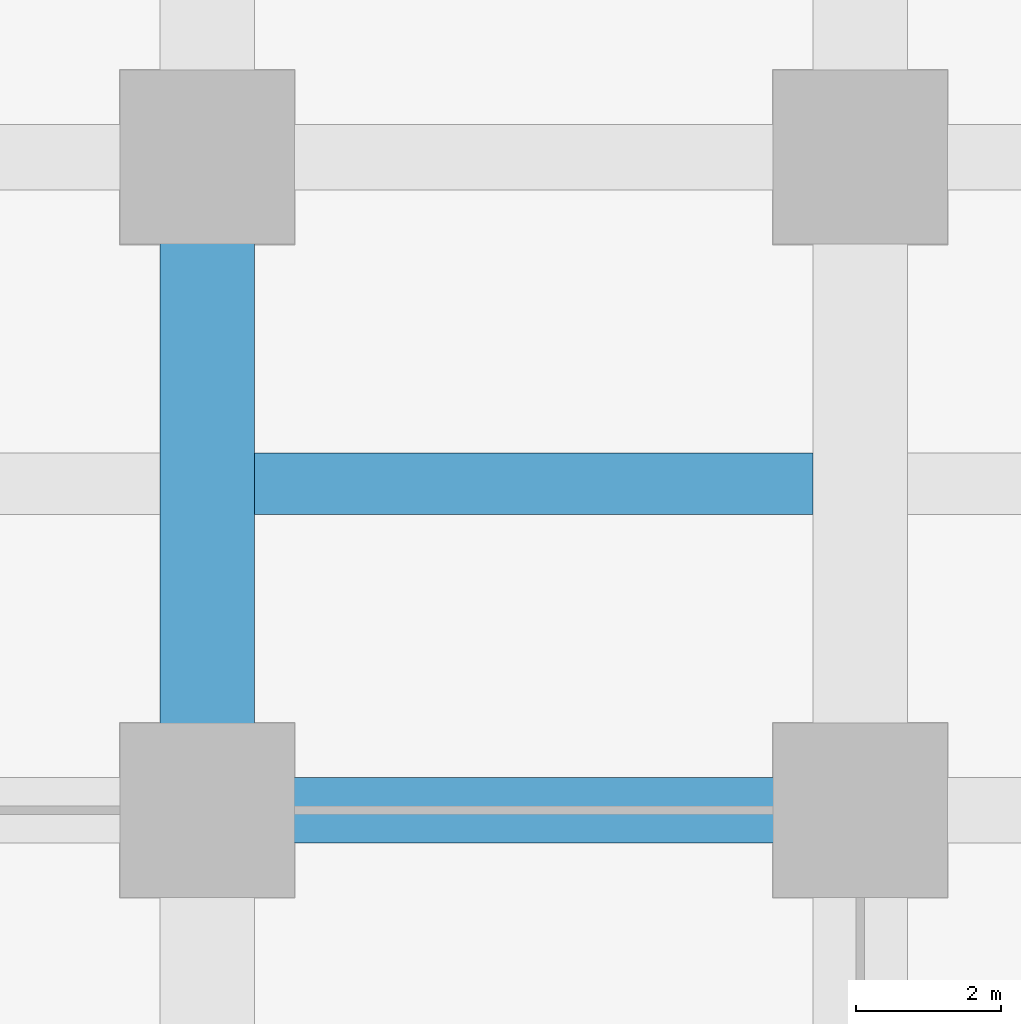
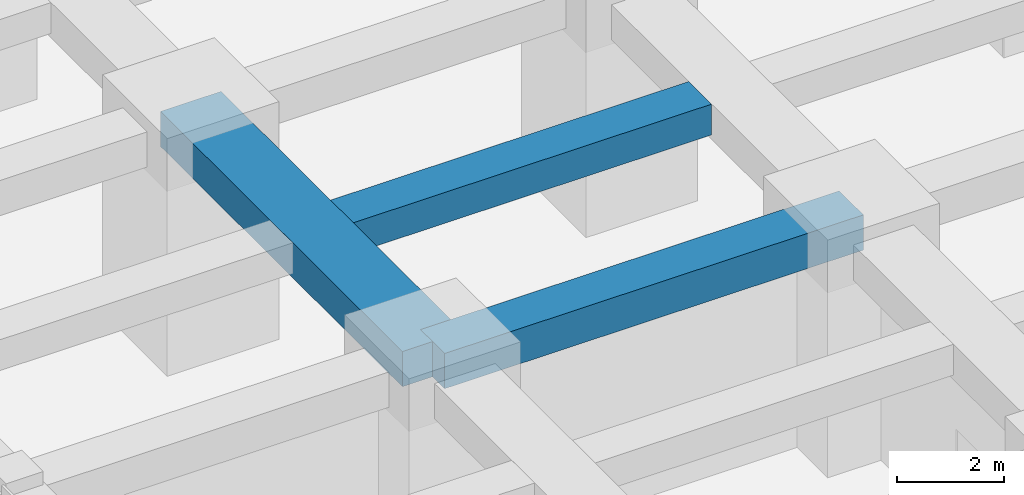
# One storey, part 10 of 45: 3 beams.
"""IFC4 building model written with IfcOpenShell, lengths in metres."""

import ifcopenshell
import ifcopenshell.guid

model = None  # the IFC model being written
_history = None  # IfcOwnerHistory: only IFC2X3 demands one
_inside = {}  # id of a spatial element -> (the spatial element, [elements in it])
_under = {}  # id of a project, library or spatial element -> (it, [spatial elements below it])
_declared = {}  # id of a project -> (the project, [libraries it declares])
_typed = {}  # id of a type object -> (the type object, [elements of that type])
_made_of = {}  # id of a material, layer set ... -> (it, [elements and type objects made of it])


def new_model(schema):
    """Start an empty IFC model of exactly this schema.

    Asked for "IFC4X3", IfcOpenShell would pick the latest addendum, in which some entities
    have other attributes; the version numbers below select the first issue.
    IFC2X3 requires an IfcOwnerHistory on every rooted entity: one is made here for all.
    """
    global model, _history
    if schema == "IFC4X3":
        model = ifcopenshell.file(schema_version=(4, 3, 0, 0))
    else:
        model = ifcopenshell.file(schema=schema)
    _inside.clear()
    _under.clear()
    _declared.clear()
    _typed.clear()
    _made_of.clear()
    _history = None
    if model.schema == "IFC2X3":
        org = make("IfcOrganization", Name="unknown")
        user = make(
            "IfcPersonAndOrganization",
            ThePerson=make("IfcPerson", FamilyName="unknown"),
            TheOrganization=org,
        )
        app = make(
            "IfcApplication",
            ApplicationDeveloper=org,
            Version="unknown",
            ApplicationFullName="unknown",
            ApplicationIdentifier="unknown",
        )
        _history = make(
            "IfcOwnerHistory",
            OwningUser=user,
            OwningApplication=app,
            ChangeAction="ADDED",
            CreationDate=0,
        )
    return model


def make(cls, **values):
    """One entity of the class cls with the attributes given. An attribute that is None is left unset."""
    return model.create_entity(
        cls, **{name: value for name, value in values.items() if value is not None}
    )


def rooted(cls, **values):
    """An entity with a GlobalId (a new one), such as an element, a storey or a relation."""
    return make(cls, GlobalId=ifcopenshell.guid.new(), OwnerHistory=_history, **values)


def si_unit(unit_type, name, prefix=None):
    """IfcSIUnit, for example si_unit("LENGTHUNIT", "METRE", prefix="MILLI")."""
    return make("IfcSIUnit", UnitType=unit_type, Prefix=prefix, Name=name)


def assignment(units):
    """IfcUnitAssignment: the units of a project."""
    return None if units is None else make("IfcUnitAssignment", Units=units)


def point(xyz):
    """IfcCartesianPoint."""
    return None if xyz is None else make("IfcCartesianPoint", Coordinates=xyz)


def direction(xyz):
    """IfcDirection."""
    return None if xyz is None else make("IfcDirection", DirectionRatios=xyz)


def frame(location, z_axis=None, x_axis=None):
    """IfcAxis2Placement3D, a coordinate frame: its origin and axes. An axis left out is left unset."""
    return make(
        "IfcAxis2Placement3D",
        Location=point(location),
        Axis=direction(z_axis),
        RefDirection=direction(x_axis),
    )


def frame_2d(location, x_axis=None):
    """IfcAxis2Placement2D, a coordinate frame in the plane: its origin and x axis."""
    return make(
        "IfcAxis2Placement2D", Location=point(location), RefDirection=direction(x_axis)
    )


def origin():
    """The frame at (0, 0, 0) with its axes left unset."""
    return frame((0.0, 0.0, 0.0))


def origin_2d():
    """The frame at (0, 0) in the plane with its x axis left unset."""
    return frame_2d((0.0, 0.0))


def place(relative_to, where):
    """IfcLocalPlacement: puts the frame where relative to a parent placement (None: the world)."""
    return make(
        "IfcLocalPlacement", PlacementRelTo=relative_to, RelativePlacement=where
    )


def context(
    kind, dimensions, precision=None, world=None, true_north=None, identifier=None
):
    """IfcGeometricRepresentationContext, for example the 3D "Model" context."""
    return make(
        "IfcGeometricRepresentationContext",
        ContextIdentifier=identifier,
        ContextType=kind,
        CoordinateSpaceDimension=dimensions,
        Precision=precision,
        WorldCoordinateSystem=world,
        TrueNorth=true_north,
    )


def subcontext(parent, identifier, kind, view, scale=None):
    """IfcGeometricRepresentationSubContext, for example "Body" below "Model"."""
    return make(
        "IfcGeometricRepresentationSubContext",
        ContextIdentifier=identifier,
        ContextType=kind,
        ParentContext=parent,
        TargetScale=scale,
        TargetView=view,
    )


def project(units=None, contexts=None):
    """IfcProject with its units and contexts."""
    return rooted(
        "IfcProject",
        Name="project",
        RepresentationContexts=contexts,
        UnitsInContext=assignment(units),
    )


def spatial(cls, under=None, at=None, **own):
    """A site, building, storey or space (cls), placed at a placement, below another one or the project."""
    s = rooted(cls, ObjectPlacement=at, **own)
    if under is not None:
        _under.setdefault(under.id(), (under, []))[1].append(s)
    return s


def profile(cls, at=None, kind="AREA", **sizes):
    """A parametric profile (cls). Its sizes go by their IFC names, for example OverallWidth=200.0."""
    return make(cls, ProfileType=kind, Position=at, **sizes)


def rectangle(**sizes):
    """IfcRectangleProfileDef."""
    return profile("IfcRectangleProfileDef", **sizes)


def extrude(swept, where, along, depth):
    """IfcExtrudedAreaSolid: the profile swept, set in the frame where, extruded along a direction by depth."""
    return make(
        "IfcExtrudedAreaSolid",
        SweptArea=swept,
        Position=where,
        ExtrudedDirection=direction(along),
        Depth=depth,
    )


def shape(context_of_items, identifier, shape_type, items):
    """IfcShapeRepresentation: the items that make up one representation, for example the "Body"."""
    return make(
        "IfcShapeRepresentation",
        ContextOfItems=context_of_items,
        RepresentationIdentifier=identifier,
        RepresentationType=shape_type,
        Items=items,
    )


def material(Name=None, Category=None):
    """IfcMaterial."""
    return make("IfcMaterial", Name=Name, Category=Category)


def material_profile(
    of_material, cross_section, Name=None, Category=None, Priority=None
):
    """IfcMaterialProfile: a cross section and its material."""
    return make(
        "IfcMaterialProfile",
        Name=Name,
        Material=of_material,
        Profile=cross_section,
        Priority=Priority,
        Category=Category,
    )


def profile_set(profiles, Name=None, composite=None):
    """IfcMaterialProfileSet."""
    return make(
        "IfcMaterialProfileSet",
        Name=Name,
        MaterialProfiles=profiles,
        CompositeProfile=composite,
    )


def made_of(thing, what):
    """Note that an element or type object is made of a material, layer set ...; save() writes the relation."""
    if what is not None:
        _made_of.setdefault(what.id(), (what, []))[1].append(thing)
    return thing


def type_object(cls, material=None, **own):
    """A type object (cls), such as IfcWallType, which elements share."""
    return made_of(rooted(cls, **own), material)


def element(
    cls,
    number,
    at=None,
    inside=None,
    cuts=None,
    type_object=None,
    material=None,
    context=None,
    identifier="Body",
    shape_type=None,
    held_by="IfcProductDefinitionShape",
    body=None,
    shapes=None,
    **own,
):
    """One element of the class cls, such as IfcWall. Its Tag is "e" and its number.

    at: its placement. inside: the storey or other place that contains it. cuts: it is an
    opening in that element (IfcRelVoidsElement). A single representation is given by context,
    identifier, shape_type and body (its items); several are given by shapes. held_by: the class
    of the entity that holds the representations. save() writes the other relations.
    """
    e = rooted(cls, Tag="e%d" % number, ObjectPlacement=at, **own)
    if body is not None:
        shapes = [shape(context, identifier, shape_type, body)]
    if shapes is not None:
        e.Representation = make(held_by, Representations=shapes)
    if inside is not None:
        _inside.setdefault(inside.id(), (inside, []))[1].append(e)
    if cuts is not None:
        rooted(
            "IfcRelVoidsElement", RelatingBuildingElement=cuts, RelatedOpeningElement=e
        )
    if type_object is not None:
        _typed.setdefault(type_object.id(), (type_object, []))[1].append(e)
    return made_of(e, material)


def aggregate(whole, parts):
    """IfcRelAggregates: a whole, such as a stair, and the parts it consists of."""
    return rooted("IfcRelAggregates", RelatingObject=whole, RelatedObjects=parts)


def save(model, path):
    """Write the relations noted so far, then the file.

    IfcRelAggregates (storeys below a building ...), IfcRelContainedInSpatialStructure (elements
    in a storey), IfcRelDefinesByType, IfcRelAssociatesMaterial and IfcRelDeclares: one each for
    every whole, place, type object, material and project.
    """
    for whole, parts in _under.values():
        aggregate(whole, parts)
    for where, things in _inside.values():
        rooted(
            "IfcRelContainedInSpatialStructure",
            RelatedElements=things,
            RelatingStructure=where,
        )
    for kind, things in _typed.values():
        rooted("IfcRelDefinesByType", RelatedObjects=things, RelatingType=kind)
    for what, things in _made_of.values():
        rooted("IfcRelAssociatesMaterial", RelatedObjects=things, RelatingMaterial=what)
    for by, libraries in _declared.values():
        rooted("IfcRelDeclares", RelatingContext=by, RelatedDefinitions=libraries)
    model.write(path)


model = new_model("IFC4")

# Units and contexts
model_context = context("Model", 3, precision=1e-05, world=origin(), true_north=direction((0.0, 1.0)))
body_context = subcontext(model_context, "Body", "Model", "MODEL_VIEW")
ifc_project = project(units=[si_unit("LENGTHUNIT", "METRE"), si_unit("AREAUNIT", "SQUARE_METRE"), si_unit("VOLUMEUNIT", "CUBIC_METRE"), si_unit("PLANEANGLEUNIT", "RADIAN"), si_unit("MASSUNIT", "GRAM", prefix="KILO")], contexts=[model_context])

# Site, building, storey
site_placement = place(None, origin())
site = spatial("IfcSite", under=ifc_project, at=site_placement, CompositionType="ELEMENT")
building_placement = place(site_placement, origin())
building = spatial("IfcBuilding", under=site, at=building_placement, Name="Zorevar Civic Tower", CompositionType="ELEMENT")
storey_placement = place(building_placement, frame((0.0, 0.0, 5.39990234375)))
storey = spatial("IfcBuildingStorey", under=building, at=storey_placement, Name="L01", CompositionType="ELEMENT", Elevation=5.39990234375)

# Beams
ifc_material_1 = material(Name="Concrete C50/60", Category="concrete")
ifc_material_profile_1 = material_profile(ifc_material_1, rectangle(XDim=1.300048828125, YDim=0.800048828125, at=origin_2d()), Name="RC 1300x800")
ifc_profile_set_1 = profile_set([ifc_material_profile_1], Name="Concrete C50/60")
beam_type_1 = type_object("IfcBeamType", Name="Beam RC 1300x800", PredefinedType="BEAM", material=ifc_profile_set_1)
beam_1_placement = place(storey_placement, frame((0.0, 18.0, 4.7001953125), z_axis=(0.0, 1.0, 0.0), x_axis=(-1.0, 0.0, 0.0)))
element("IfcBeam", 1, at=beam_1_placement, inside=storey, type_object=beam_type_1, Name="Girder L02", PredefinedType="BEAM", context=body_context, shape_type="SweptSolid", body=[
    extrude(rectangle(XDim=1.300048828125, YDim=0.800048828125, at=origin_2d()), origin(), (0.0, 0.0, 1.0), 9.0),
])
ifc_material_2 = material(Name="Concrete C50/60", Category="concrete")
ifc_material_profile_2 = material_profile(ifc_material_2, rectangle(XDim=0.85009765625, YDim=0.699951171875, at=origin_2d()), Name="RC 850x700")
ifc_profile_set_2 = profile_set([ifc_material_profile_2], Name="Concrete C50/60")
beam_type_2 = type_object("IfcBeamType", Name="Beam RC 850x700", PredefinedType="BEAM", material=ifc_profile_set_2)
beam_2_placement = place(storey_placement, frame((0.64990234375, 22.5, 4.75), z_axis=(1.0, 0.0, 0.0), x_axis=(0.0, 1.0, 0.0)))
element("IfcBeam", 2, at=beam_2_placement, inside=storey, type_object=beam_type_2, Name="Secondary beam L02", PredefinedType="BEAM", context=body_context, shape_type="SweptSolid", body=[
    extrude(rectangle(XDim=0.85009765625, YDim=0.699951171875, at=origin_2d()), origin(), (0.0, 0.0, 1.0), 7.7001953125),
])
ifc_material_3 = material(Name="Concrete C50/60", Category="concrete")
ifc_material_profile_3 = material_profile(ifc_material_3, rectangle(XDim=0.89990234375, YDim=0.800048828125, at=origin_2d()), Name="RC 900x800")
ifc_profile_set_3 = profile_set([ifc_material_profile_3], Name="Concrete C50/60")
beam_type_3 = type_object("IfcBeamType", Name="Beam RC 900x800", PredefinedType="BEAM", material=ifc_profile_set_3)
beam_3_placement = place(storey_placement, frame((0.0, 18.0, 4.7001953125), z_axis=(1.0, 0.0, 0.0), x_axis=(0.0, 1.0, 0.0)))
element("IfcBeam", 3, at=beam_3_placement, inside=storey, type_object=beam_type_3, Name="Girder L02", PredefinedType="BEAM", context=body_context, shape_type="SweptSolid", body=[
    extrude(rectangle(XDim=0.89990234375, YDim=0.800048828125, at=origin_2d()), origin(), (0.0, 0.0, 1.0), 9.0),
])

save(model, "model.ifc")
